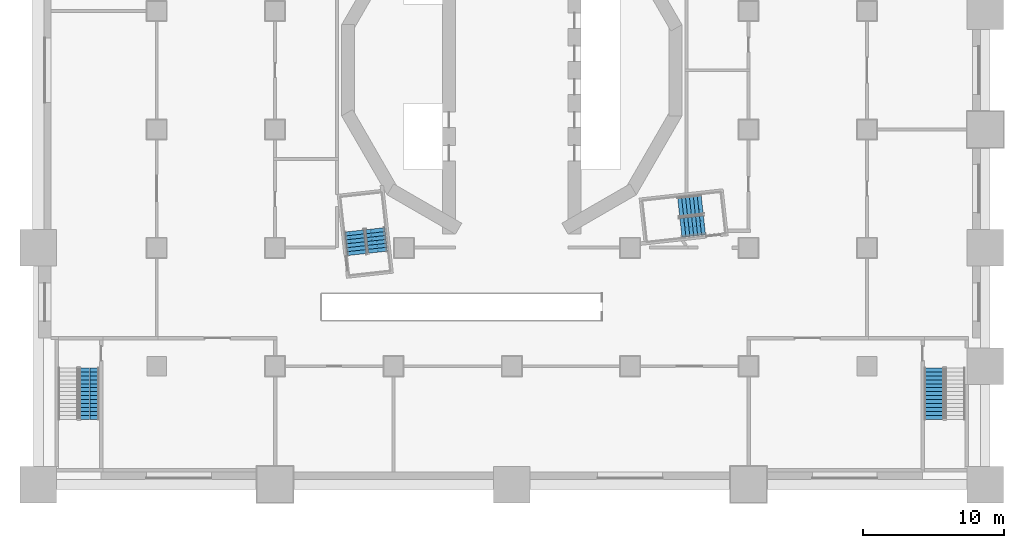
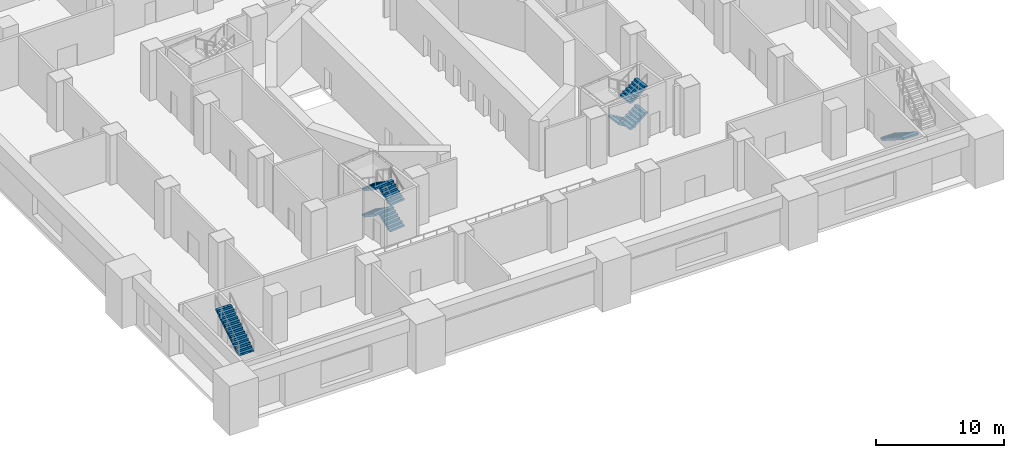
# One storey, part 6 of 19: 9 stair flights, 4 elements without a shape of their own.
"""IFC4 building model written with IfcOpenShell, lengths in metres."""

from ifc_helpers import new_model, si_unit, direction, frame, origin, place, context, subcontext, project, spatial, polyline, outline, extrude, material, type_object, element, aggregate, save


model = new_model("IFC4")

# Units and contexts
model_context = context("Model", 3, precision=1e-05, world=origin(), true_north=direction((0.0, 1.0)))
body_context = subcontext(model_context, "Body", "Model", "MODEL_VIEW")
ifc_project = project(units=[si_unit("LENGTHUNIT", "METRE"), si_unit("AREAUNIT", "SQUARE_METRE"), si_unit("VOLUMEUNIT", "CUBIC_METRE"), si_unit("PLANEANGLEUNIT", "RADIAN"), si_unit("MASSUNIT", "GRAM", prefix="KILO")], contexts=[model_context])

# Site, building, storey
site_placement = place(None, origin())
site = spatial("IfcSite", under=ifc_project, at=site_placement, CompositionType="ELEMENT")
building_placement = place(site_placement, origin())
building = spatial("IfcBuilding", under=site, at=building_placement, Name="Cantera Rosa Tower", CompositionType="ELEMENT")
storey_placement = place(building_placement, frame((0.0, 0.0, 12.0)))
storey = spatial("IfcBuildingStorey", under=building, at=storey_placement, Name="L01", CompositionType="ELEMENT", Elevation=12.0)

# Stair, stair flights
ifc_material_1 = material(Name="Concrete C35/45", Category="concrete")
stair_type_1 = type_object("IfcStairType", Name="EXIT STAIR 1350 DOGLEG", PredefinedType="HALF_TURN_STAIR", material=ifc_material_1)
stair_1_placement = place(storey_placement, origin())
stair_1 = element("IfcStair", 1, at=stair_1_placement, inside=storey, type_object=stair_type_1, Name="L01 ST-13", PredefinedType="HALF_TURN_STAIR")
ifc_material_2 = material(Name="Concrete C35/45", Category="concrete")
stair_flight_type_1 = type_object("IfcStairFlightType", Name="STAIR FLIGHT 1350 R28x179", PredefinedType="STRAIGHT", material=ifc_material_2)
stair_flight_1_placement = place(storey_placement, frame((-9.500244140625, -12.90869140625, 0.0), z_axis=(0.0, 0.0, 1.0), x_axis=(-0.110312549749, 0.993896947056, 0.0)))
stair_flight_1 = element("IfcStairFlight", 2, at=stair_flight_1_placement, type_object=stair_flight_type_1, Name="ST-13 flight 1", NumberOfRisers=7, NumberOfTreads=6, PredefinedType="STRAIGHT", RiserHeight=0.178571429, TreadLength=0.28, context=body_context, shape_type="SweptSolid", body=[
    extrude(outline(polyline([(0.0, 0.0), (0.0, 0.178466796875), (0.280029296875, 0.178466796875), (0.280029296875, 0.357177734375), (0.56005859375, 0.357177734375), (0.56005859375, 0.53564453125), (0.840087890625, 0.53564453125), (0.840087890625, 0.71435546875), (1.1201171875, 0.71435546875), (1.1201171875, 0.892822265625), (1.39990234375, 0.892822265625), (1.39990234375, 1.071533203125), (1.679931640625, 1.071533203125), (1.679931640625, 1.25), (1.679931640625, 0.8935546875), (0.27880859375, 0.0), (0.0, 0.0)])), frame((0.0, 0.675048828125, 0.0), z_axis=(0.0, -1.0, 0.0), x_axis=(1.0, 0.0, 0.0)), (0.0, 0.0, 1.0), 0.3359375),
    extrude(outline(polyline([(0.0, 0.0), (0.0, 0.178466796875), (0.280029296875, 0.178466796875), (0.280029296875, 0.357177734375), (0.56005859375, 0.357177734375), (0.56005859375, 0.53564453125), (0.840087890625, 0.53564453125), (0.840087890625, 0.71435546875), (1.1201171875, 0.71435546875), (1.1201171875, 0.892822265625), (1.39990234375, 0.892822265625), (1.39990234375, 1.071533203125), (1.679931640625, 1.071533203125), (1.679931640625, 1.25), (1.679931640625, 0.8935546875), (0.27880859375, 0.0), (0.0, 0.0)])), frame((0.0, 0.337158203125, 0.0), z_axis=(0.0, -1.0, 0.0), x_axis=(1.0, 0.0, 0.0)), (0.0, 0.0, 1.0), 0.3359375),
    extrude(outline(polyline([(0.0, 0.0), (0.0, 0.178466796875), (0.280029296875, 0.178466796875), (0.280029296875, 0.357177734375), (0.56005859375, 0.357177734375), (0.56005859375, 0.53564453125), (0.840087890625, 0.53564453125), (0.840087890625, 0.71435546875), (1.1201171875, 0.71435546875), (1.1201171875, 0.892822265625), (1.39990234375, 0.892822265625), (1.39990234375, 1.071533203125), (1.679931640625, 1.071533203125), (1.679931640625, 1.25), (1.679931640625, 0.8935546875), (0.27880859375, 0.0), (0.0, 0.0)])), frame((0.0, -0.000732421875, 0.0), z_axis=(0.0, -1.0, 0.0), x_axis=(1.0, 0.0, 0.0)), (0.0, 0.0, 1.0), 0.3359375),
    extrude(outline(polyline([(0.0, 0.0), (0.0, 0.178466796875), (0.280029296875, 0.178466796875), (0.280029296875, 0.357177734375), (0.56005859375, 0.357177734375), (0.56005859375, 0.53564453125), (0.840087890625, 0.53564453125), (0.840087890625, 0.71435546875), (1.1201171875, 0.71435546875), (1.1201171875, 0.892822265625), (1.39990234375, 0.892822265625), (1.39990234375, 1.071533203125), (1.679931640625, 1.071533203125), (1.679931640625, 1.25), (1.679931640625, 0.8935546875), (0.27880859375, 0.0), (0.0, 0.0)])), frame((0.0, -0.338623046875, 0.0), z_axis=(0.0, -1.0, 0.0), x_axis=(1.0, 0.0, 0.0)), (0.0, 0.0, 1.0), 0.3359375),
])
stair_flight_2_placement = place(storey_placement, frame((-11.17626953125, -11.404541015625, 1.25), z_axis=(0.0, 0.0, 1.0), x_axis=(0.110312549749, -0.993896947056, 0.0)))
stair_flight_2 = element("IfcStairFlight", 3, at=stair_flight_2_placement, type_object=stair_flight_type_1, Name="ST-13 flight 2", NumberOfRisers=7, NumberOfTreads=6, PredefinedType="STRAIGHT", RiserHeight=0.178571429, TreadLength=0.28, context=body_context, shape_type="SweptSolid", body=[
    extrude(outline(polyline([(0.0, 0.0), (0.0, 0.178466796875), (0.280029296875, 0.178466796875), (0.280029296875, 0.357177734375), (0.56005859375, 0.357177734375), (0.56005859375, 0.53564453125), (0.840087890625, 0.53564453125), (0.840087890625, 0.71435546875), (1.1201171875, 0.71435546875), (1.1201171875, 0.892822265625), (1.39990234375, 0.892822265625), (1.39990234375, 1.071533203125), (1.679931640625, 1.071533203125), (1.679931640625, 1.25), (1.679931640625, 0.8935546875), (0.27880859375, 0.0), (0.0, 0.0)])), frame((0.0, 0.675048828125, 0.0), z_axis=(0.0, -1.0, 0.0), x_axis=(1.0, 0.0, 0.0)), (0.0, 0.0, 1.0), 0.3359375),
    extrude(outline(polyline([(0.0, 0.0), (0.0, 0.178466796875), (0.280029296875, 0.178466796875), (0.280029296875, 0.357177734375), (0.56005859375, 0.357177734375), (0.56005859375, 0.53564453125), (0.840087890625, 0.53564453125), (0.840087890625, 0.71435546875), (1.1201171875, 0.71435546875), (1.1201171875, 0.892822265625), (1.39990234375, 0.892822265625), (1.39990234375, 1.071533203125), (1.679931640625, 1.071533203125), (1.679931640625, 1.25), (1.679931640625, 0.8935546875), (0.27880859375, 0.0), (0.0, 0.0)])), frame((0.0, 0.337158203125, 0.0), z_axis=(0.0, -1.0, 0.0), x_axis=(1.0, 0.0, 0.0)), (0.0, 0.0, 1.0), 0.3359375),
    extrude(outline(polyline([(0.0, 0.0), (0.0, 0.178466796875), (0.280029296875, 0.178466796875), (0.280029296875, 0.357177734375), (0.56005859375, 0.357177734375), (0.56005859375, 0.53564453125), (0.840087890625, 0.53564453125), (0.840087890625, 0.71435546875), (1.1201171875, 0.71435546875), (1.1201171875, 0.892822265625), (1.39990234375, 0.892822265625), (1.39990234375, 1.071533203125), (1.679931640625, 1.071533203125), (1.679931640625, 1.25), (1.679931640625, 0.8935546875), (0.27880859375, 0.0), (0.0, 0.0)])), frame((0.0, -0.000732421875, 0.0), z_axis=(0.0, -1.0, 0.0), x_axis=(1.0, 0.0, 0.0)), (0.0, 0.0, 1.0), 0.3359375),
    extrude(outline(polyline([(0.0, 0.0), (0.0, 0.178466796875), (0.280029296875, 0.178466796875), (0.280029296875, 0.357177734375), (0.56005859375, 0.357177734375), (0.56005859375, 0.53564453125), (0.840087890625, 0.53564453125), (0.840087890625, 0.71435546875), (1.1201171875, 0.71435546875), (1.1201171875, 0.892822265625), (1.39990234375, 0.892822265625), (1.39990234375, 1.071533203125), (1.679931640625, 1.071533203125), (1.679931640625, 1.25), (1.679931640625, 0.8935546875), (0.27880859375, 0.0), (0.0, 0.0)])), frame((0.0, -0.338623046875, 0.0), z_axis=(0.0, -1.0, 0.0), x_axis=(1.0, 0.0, 0.0)), (0.0, 0.0, 1.0), 0.3359375),
])
stair_flight_3_placement = place(storey_placement, frame((-9.500244140625, -12.90869140625, 2.5), z_axis=(0.0, 0.0, 1.0), x_axis=(-0.110312549749, 0.993896947056, 0.0)))
stair_flight_3 = element("IfcStairFlight", 4, at=stair_flight_3_placement, type_object=stair_flight_type_1, Name="ST-13 flight 3", NumberOfRisers=7, NumberOfTreads=6, PredefinedType="STRAIGHT", RiserHeight=0.178571429, TreadLength=0.28, context=body_context, shape_type="SweptSolid", body=[
    extrude(outline(polyline([(0.0, 0.0), (0.0, 0.178466796875), (0.280029296875, 0.178466796875), (0.280029296875, 0.357177734375), (0.56005859375, 0.357177734375), (0.56005859375, 0.53564453125), (0.840087890625, 0.53564453125), (0.840087890625, 0.71435546875), (1.1201171875, 0.71435546875), (1.1201171875, 0.892822265625), (1.39990234375, 0.892822265625), (1.39990234375, 1.071533203125), (1.679931640625, 1.071533203125), (1.679931640625, 1.25), (1.679931640625, 0.8935546875), (0.27880859375, 0.0), (0.0, 0.0)])), frame((0.0, 0.675048828125, 0.0), z_axis=(0.0, -1.0, 0.0), x_axis=(1.0, 0.0, 0.0)), (0.0, 0.0, 1.0), 0.3359375),
    extrude(outline(polyline([(0.0, 0.0), (0.0, 0.178466796875), (0.280029296875, 0.178466796875), (0.280029296875, 0.357177734375), (0.56005859375, 0.357177734375), (0.56005859375, 0.53564453125), (0.840087890625, 0.53564453125), (0.840087890625, 0.71435546875), (1.1201171875, 0.71435546875), (1.1201171875, 0.892822265625), (1.39990234375, 0.892822265625), (1.39990234375, 1.071533203125), (1.679931640625, 1.071533203125), (1.679931640625, 1.25), (1.679931640625, 0.8935546875), (0.27880859375, 0.0), (0.0, 0.0)])), frame((0.0, 0.337158203125, 0.0), z_axis=(0.0, -1.0, 0.0), x_axis=(1.0, 0.0, 0.0)), (0.0, 0.0, 1.0), 0.3359375),
    extrude(outline(polyline([(0.0, 0.0), (0.0, 0.178466796875), (0.280029296875, 0.178466796875), (0.280029296875, 0.357177734375), (0.56005859375, 0.357177734375), (0.56005859375, 0.53564453125), (0.840087890625, 0.53564453125), (0.840087890625, 0.71435546875), (1.1201171875, 0.71435546875), (1.1201171875, 0.892822265625), (1.39990234375, 0.892822265625), (1.39990234375, 1.071533203125), (1.679931640625, 1.071533203125), (1.679931640625, 1.25), (1.679931640625, 0.8935546875), (0.27880859375, 0.0), (0.0, 0.0)])), frame((0.0, -0.000732421875, 0.0), z_axis=(0.0, -1.0, 0.0), x_axis=(1.0, 0.0, 0.0)), (0.0, 0.0, 1.0), 0.3359375),
    extrude(outline(polyline([(0.0, 0.0), (0.0, 0.178466796875), (0.280029296875, 0.178466796875), (0.280029296875, 0.357177734375), (0.56005859375, 0.357177734375), (0.56005859375, 0.53564453125), (0.840087890625, 0.53564453125), (0.840087890625, 0.71435546875), (1.1201171875, 0.71435546875), (1.1201171875, 0.892822265625), (1.39990234375, 0.892822265625), (1.39990234375, 1.071533203125), (1.679931640625, 1.071533203125), (1.679931640625, 1.25), (1.679931640625, 0.8935546875), (0.27880859375, 0.0), (0.0, 0.0)])), frame((0.0, -0.338623046875, 0.0), z_axis=(0.0, -1.0, 0.0), x_axis=(1.0, 0.0, 0.0)), (0.0, 0.0, 1.0), 0.3359375),
])
stair_flight_4_placement = place(storey_placement, frame((-11.17626953125, -11.404541015625, 3.75), z_axis=(0.0, 0.0, 1.0), x_axis=(0.110312549749, -0.993896947056, 0.0)))
stair_flight_4 = element("IfcStairFlight", 5, at=stair_flight_4_placement, type_object=stair_flight_type_1, Name="ST-13 flight 4", NumberOfRisers=7, NumberOfTreads=6, PredefinedType="STRAIGHT", RiserHeight=0.178571429, TreadLength=0.28, context=body_context, shape_type="SweptSolid", body=[
    extrude(outline(polyline([(0.0, 0.0), (0.0, 0.178466796875), (0.280029296875, 0.178466796875), (0.280029296875, 0.357177734375), (0.56005859375, 0.357177734375), (0.56005859375, 0.53564453125), (0.840087890625, 0.53564453125), (0.840087890625, 0.71435546875), (1.1201171875, 0.71435546875), (1.1201171875, 0.892822265625), (1.39990234375, 0.892822265625), (1.39990234375, 1.071533203125), (1.679931640625, 1.071533203125), (1.679931640625, 1.25), (1.679931640625, 0.8935546875), (0.27880859375, 0.0), (0.0, 0.0)])), frame((0.0, 0.675048828125, 0.0), z_axis=(0.0, -1.0, 0.0), x_axis=(1.0, 0.0, 0.0)), (0.0, 0.0, 1.0), 0.3359375),
    extrude(outline(polyline([(0.0, 0.0), (0.0, 0.178466796875), (0.280029296875, 0.178466796875), (0.280029296875, 0.357177734375), (0.56005859375, 0.357177734375), (0.56005859375, 0.53564453125), (0.840087890625, 0.53564453125), (0.840087890625, 0.71435546875), (1.1201171875, 0.71435546875), (1.1201171875, 0.892822265625), (1.39990234375, 0.892822265625), (1.39990234375, 1.071533203125), (1.679931640625, 1.071533203125), (1.679931640625, 1.25), (1.679931640625, 0.8935546875), (0.27880859375, 0.0), (0.0, 0.0)])), frame((0.0, 0.337158203125, 0.0), z_axis=(0.0, -1.0, 0.0), x_axis=(1.0, 0.0, 0.0)), (0.0, 0.0, 1.0), 0.3359375),
    extrude(outline(polyline([(0.0, 0.0), (0.0, 0.178466796875), (0.280029296875, 0.178466796875), (0.280029296875, 0.357177734375), (0.56005859375, 0.357177734375), (0.56005859375, 0.53564453125), (0.840087890625, 0.53564453125), (0.840087890625, 0.71435546875), (1.1201171875, 0.71435546875), (1.1201171875, 0.892822265625), (1.39990234375, 0.892822265625), (1.39990234375, 1.071533203125), (1.679931640625, 1.071533203125), (1.679931640625, 1.25), (1.679931640625, 0.8935546875), (0.27880859375, 0.0), (0.0, 0.0)])), frame((0.0, -0.000732421875, 0.0), z_axis=(0.0, -1.0, 0.0), x_axis=(1.0, 0.0, 0.0)), (0.0, 0.0, 1.0), 0.3359375),
    extrude(outline(polyline([(0.0, 0.0), (0.0, 0.178466796875), (0.280029296875, 0.178466796875), (0.280029296875, 0.357177734375), (0.56005859375, 0.357177734375), (0.56005859375, 0.53564453125), (0.840087890625, 0.53564453125), (0.840087890625, 0.71435546875), (1.1201171875, 0.71435546875), (1.1201171875, 0.892822265625), (1.39990234375, 0.892822265625), (1.39990234375, 1.071533203125), (1.679931640625, 1.071533203125), (1.679931640625, 1.25), (1.679931640625, 0.8935546875), (0.27880859375, 0.0), (0.0, 0.0)])), frame((0.0, -0.338623046875, 0.0), z_axis=(0.0, -1.0, 0.0), x_axis=(1.0, 0.0, 0.0)), (0.0, 0.0, 1.0), 0.3359375),
])
aggregate(stair_1, [stair_flight_1, stair_flight_2, stair_flight_3, stair_flight_4])

stair_2_placement = place(storey_placement, origin())
stair_2 = element("IfcStair", 6, at=stair_2_placement, inside=storey, type_object=stair_type_1, Name="L01 ST-14", PredefinedType="HALF_TURN_STAIR")
stair_flight_5_placement = place(storey_placement, frame((13.5087890625, -9.500244140625, 0.0), z_axis=(0.0, 0.0, 1.0), x_axis=(-0.993896947056, -0.110312549749, 0.0)))
stair_flight_5 = element("IfcStairFlight", 7, at=stair_flight_5_placement, type_object=stair_flight_type_1, Name="ST-14 flight 1", NumberOfRisers=7, NumberOfTreads=6, PredefinedType="STRAIGHT", RiserHeight=0.178571429, TreadLength=0.28, context=body_context, shape_type="SweptSolid", body=[
    extrude(outline(polyline([(0.0, 0.0), (0.0, 0.178466796875), (0.280029296875, 0.178466796875), (0.280029296875, 0.357177734375), (0.56005859375, 0.357177734375), (0.56005859375, 0.53564453125), (0.840087890625, 0.53564453125), (0.840087890625, 0.71435546875), (1.1201171875, 0.71435546875), (1.1201171875, 0.892822265625), (1.39990234375, 0.892822265625), (1.39990234375, 1.071533203125), (1.679931640625, 1.071533203125), (1.679931640625, 1.25), (1.679931640625, 0.8935546875), (0.27880859375, 0.0), (0.0, 0.0)])), frame((0.0, 0.675048828125, 0.0), z_axis=(0.0, -1.0, 0.0), x_axis=(1.0, 0.0, 0.0)), (0.0, 0.0, 1.0), 0.3359375),
    extrude(outline(polyline([(0.0, 0.0), (0.0, 0.178466796875), (0.280029296875, 0.178466796875), (0.280029296875, 0.357177734375), (0.56005859375, 0.357177734375), (0.56005859375, 0.53564453125), (0.840087890625, 0.53564453125), (0.840087890625, 0.71435546875), (1.1201171875, 0.71435546875), (1.1201171875, 0.892822265625), (1.39990234375, 0.892822265625), (1.39990234375, 1.071533203125), (1.679931640625, 1.071533203125), (1.679931640625, 1.25), (1.679931640625, 0.8935546875), (0.27880859375, 0.0), (0.0, 0.0)])), frame((0.0, 0.337158203125, 0.0), z_axis=(0.0, -1.0, 0.0), x_axis=(1.0, 0.0, 0.0)), (0.0, 0.0, 1.0), 0.3359375),
    extrude(outline(polyline([(0.0, 0.0), (0.0, 0.178466796875), (0.280029296875, 0.178466796875), (0.280029296875, 0.357177734375), (0.56005859375, 0.357177734375), (0.56005859375, 0.53564453125), (0.840087890625, 0.53564453125), (0.840087890625, 0.71435546875), (1.1201171875, 0.71435546875), (1.1201171875, 0.892822265625), (1.39990234375, 0.892822265625), (1.39990234375, 1.071533203125), (1.679931640625, 1.071533203125), (1.679931640625, 1.25), (1.679931640625, 0.8935546875), (0.27880859375, 0.0), (0.0, 0.0)])), frame((0.0, -0.000732421875, 0.0), z_axis=(0.0, -1.0, 0.0), x_axis=(1.0, 0.0, 0.0)), (0.0, 0.0, 1.0), 0.3359375),
    extrude(outline(polyline([(0.0, 0.0), (0.0, 0.178466796875), (0.280029296875, 0.178466796875), (0.280029296875, 0.357177734375), (0.56005859375, 0.357177734375), (0.56005859375, 0.53564453125), (0.840087890625, 0.53564453125), (0.840087890625, 0.71435546875), (1.1201171875, 0.71435546875), (1.1201171875, 0.892822265625), (1.39990234375, 0.892822265625), (1.39990234375, 1.071533203125), (1.679931640625, 1.071533203125), (1.679931640625, 1.25), (1.679931640625, 0.8935546875), (0.27880859375, 0.0), (0.0, 0.0)])), frame((0.0, -0.338623046875, 0.0), z_axis=(0.0, -1.0, 0.0), x_axis=(1.0, 0.0, 0.0)), (0.0, 0.0, 1.0), 0.3359375),
])
stair_flight_6_placement = place(storey_placement, frame((12.00439453125, -11.17626953125, 1.25), z_axis=(0.0, 0.0, 1.0), x_axis=(0.993896947056, 0.110312549749, 0.0)))
stair_flight_6 = element("IfcStairFlight", 8, at=stair_flight_6_placement, type_object=stair_flight_type_1, Name="ST-14 flight 2", NumberOfRisers=7, NumberOfTreads=6, PredefinedType="STRAIGHT", RiserHeight=0.178571429, TreadLength=0.28, context=body_context, shape_type="SweptSolid", body=[
    extrude(outline(polyline([(0.0, 0.0), (0.0, 0.178466796875), (0.280029296875, 0.178466796875), (0.280029296875, 0.357177734375), (0.56005859375, 0.357177734375), (0.56005859375, 0.53564453125), (0.840087890625, 0.53564453125), (0.840087890625, 0.71435546875), (1.1201171875, 0.71435546875), (1.1201171875, 0.892822265625), (1.39990234375, 0.892822265625), (1.39990234375, 1.071533203125), (1.679931640625, 1.071533203125), (1.679931640625, 1.25), (1.679931640625, 0.8935546875), (0.27880859375, 0.0), (0.0, 0.0)])), frame((0.0, 0.675048828125, 0.0), z_axis=(0.0, -1.0, 0.0), x_axis=(1.0, 0.0, 0.0)), (0.0, 0.0, 1.0), 0.3359375),
    extrude(outline(polyline([(0.0, 0.0), (0.0, 0.178466796875), (0.280029296875, 0.178466796875), (0.280029296875, 0.357177734375), (0.56005859375, 0.357177734375), (0.56005859375, 0.53564453125), (0.840087890625, 0.53564453125), (0.840087890625, 0.71435546875), (1.1201171875, 0.71435546875), (1.1201171875, 0.892822265625), (1.39990234375, 0.892822265625), (1.39990234375, 1.071533203125), (1.679931640625, 1.071533203125), (1.679931640625, 1.25), (1.679931640625, 0.8935546875), (0.27880859375, 0.0), (0.0, 0.0)])), frame((0.0, 0.337158203125, 0.0), z_axis=(0.0, -1.0, 0.0), x_axis=(1.0, 0.0, 0.0)), (0.0, 0.0, 1.0), 0.3359375),
    extrude(outline(polyline([(0.0, 0.0), (0.0, 0.178466796875), (0.280029296875, 0.178466796875), (0.280029296875, 0.357177734375), (0.56005859375, 0.357177734375), (0.56005859375, 0.53564453125), (0.840087890625, 0.53564453125), (0.840087890625, 0.71435546875), (1.1201171875, 0.71435546875), (1.1201171875, 0.892822265625), (1.39990234375, 0.892822265625), (1.39990234375, 1.071533203125), (1.679931640625, 1.071533203125), (1.679931640625, 1.25), (1.679931640625, 0.8935546875), (0.27880859375, 0.0), (0.0, 0.0)])), frame((0.0, -0.000732421875, 0.0), z_axis=(0.0, -1.0, 0.0), x_axis=(1.0, 0.0, 0.0)), (0.0, 0.0, 1.0), 0.3359375),
    extrude(outline(polyline([(0.0, 0.0), (0.0, 0.178466796875), (0.280029296875, 0.178466796875), (0.280029296875, 0.357177734375), (0.56005859375, 0.357177734375), (0.56005859375, 0.53564453125), (0.840087890625, 0.53564453125), (0.840087890625, 0.71435546875), (1.1201171875, 0.71435546875), (1.1201171875, 0.892822265625), (1.39990234375, 0.892822265625), (1.39990234375, 1.071533203125), (1.679931640625, 1.071533203125), (1.679931640625, 1.25), (1.679931640625, 0.8935546875), (0.27880859375, 0.0), (0.0, 0.0)])), frame((0.0, -0.338623046875, 0.0), z_axis=(0.0, -1.0, 0.0), x_axis=(1.0, 0.0, 0.0)), (0.0, 0.0, 1.0), 0.3359375),
])
stair_flight_7_placement = place(storey_placement, frame((12.00439453125, -11.17626953125, 3.75), z_axis=(0.0, 0.0, 1.0), x_axis=(0.993896947056, 0.110312549749, 0.0)))
stair_flight_7 = element("IfcStairFlight", 9, at=stair_flight_7_placement, type_object=stair_flight_type_1, Name="ST-14 flight 4", NumberOfRisers=7, NumberOfTreads=6, PredefinedType="STRAIGHT", RiserHeight=0.178571429, TreadLength=0.28, context=body_context, shape_type="SweptSolid", body=[
    extrude(outline(polyline([(0.0, 0.0), (0.0, 0.178466796875), (0.280029296875, 0.178466796875), (0.280029296875, 0.357177734375), (0.56005859375, 0.357177734375), (0.56005859375, 0.53564453125), (0.840087890625, 0.53564453125), (0.840087890625, 0.71435546875), (1.1201171875, 0.71435546875), (1.1201171875, 0.892822265625), (1.39990234375, 0.892822265625), (1.39990234375, 1.071533203125), (1.679931640625, 1.071533203125), (1.679931640625, 1.25), (1.679931640625, 0.8935546875), (0.27880859375, 0.0), (0.0, 0.0)])), frame((0.0, 0.675048828125, 0.0), z_axis=(0.0, -1.0, 0.0), x_axis=(1.0, 0.0, 0.0)), (0.0, 0.0, 1.0), 0.3359375),
    extrude(outline(polyline([(0.0, 0.0), (0.0, 0.178466796875), (0.280029296875, 0.178466796875), (0.280029296875, 0.357177734375), (0.56005859375, 0.357177734375), (0.56005859375, 0.53564453125), (0.840087890625, 0.53564453125), (0.840087890625, 0.71435546875), (1.1201171875, 0.71435546875), (1.1201171875, 0.892822265625), (1.39990234375, 0.892822265625), (1.39990234375, 1.071533203125), (1.679931640625, 1.071533203125), (1.679931640625, 1.25), (1.679931640625, 0.8935546875), (0.27880859375, 0.0), (0.0, 0.0)])), frame((0.0, 0.337158203125, 0.0), z_axis=(0.0, -1.0, 0.0), x_axis=(1.0, 0.0, 0.0)), (0.0, 0.0, 1.0), 0.3359375),
    extrude(outline(polyline([(0.0, 0.0), (0.0, 0.178466796875), (0.280029296875, 0.178466796875), (0.280029296875, 0.357177734375), (0.56005859375, 0.357177734375), (0.56005859375, 0.53564453125), (0.840087890625, 0.53564453125), (0.840087890625, 0.71435546875), (1.1201171875, 0.71435546875), (1.1201171875, 0.892822265625), (1.39990234375, 0.892822265625), (1.39990234375, 1.071533203125), (1.679931640625, 1.071533203125), (1.679931640625, 1.25), (1.679931640625, 0.8935546875), (0.27880859375, 0.0), (0.0, 0.0)])), frame((0.0, -0.000732421875, 0.0), z_axis=(0.0, -1.0, 0.0), x_axis=(1.0, 0.0, 0.0)), (0.0, 0.0, 1.0), 0.3359375),
    extrude(outline(polyline([(0.0, 0.0), (0.0, 0.178466796875), (0.280029296875, 0.178466796875), (0.280029296875, 0.357177734375), (0.56005859375, 0.357177734375), (0.56005859375, 0.53564453125), (0.840087890625, 0.53564453125), (0.840087890625, 0.71435546875), (1.1201171875, 0.71435546875), (1.1201171875, 0.892822265625), (1.39990234375, 0.892822265625), (1.39990234375, 1.071533203125), (1.679931640625, 1.071533203125), (1.679931640625, 1.25), (1.679931640625, 0.8935546875), (0.27880859375, 0.0), (0.0, 0.0)])), frame((0.0, -0.338623046875, 0.0), z_axis=(0.0, -1.0, 0.0), x_axis=(1.0, 0.0, 0.0)), (0.0, 0.0, 1.0), 0.3359375),
])
aggregate(stair_2, [stair_flight_5, stair_flight_6, stair_flight_7])

# Stair, stair flight
ifc_material_3 = material(Name="Concrete C35/45", Category="concrete")
stair_type_2 = type_object("IfcStairType", Name="Stair half-turn 1350", PredefinedType="HALF_TURN_STAIR", material=ifc_material_3)
stair_3_placement = place(storey_placement, origin())
stair_3 = element("IfcStair", 10, at=stair_3_placement, inside=storey, type_object=stair_type_2, Name="L01 ST-SE", PredefinedType="HALF_TURN_STAIR")
ifc_material_4 = material(Name="Concrete C35/45", Category="concrete")
stair_flight_type_2 = type_object("IfcStairFlightType", Name="Stair flight 1350", PredefinedType="STRAIGHT", material=ifc_material_4)
stair_flight_8_placement = place(storey_placement, frame((29.949951171875, -21.125, 0.0), z_axis=(0.0, 0.0, 1.0), x_axis=(0.0, -1.0, 0.0)))
stair_flight_8 = element("IfcStairFlight", 11, at=stair_flight_8_placement, type_object=stair_flight_type_2, Name="ST-SE flight 1", NumberOfRisers=14, NumberOfTreads=13, PredefinedType="STRAIGHT", RiserHeight=0.178571429, TreadLength=0.28, context=body_context, shape_type="SweptSolid", body=[
    extrude(outline(polyline([(0.0, 0.0), (0.0, 0.178466796875), (0.280029296875, 0.178466796875), (0.280029296875, 0.357177734375), (0.56005859375, 0.357177734375), (0.56005859375, 0.53564453125), (0.840087890625, 0.53564453125), (0.840087890625, 0.71435546875), (1.1201171875, 0.71435546875), (1.1201171875, 0.892822265625), (1.39990234375, 0.892822265625), (1.39990234375, 1.071533203125), (1.679931640625, 1.071533203125), (1.679931640625, 1.25), (1.9599609375, 1.25), (1.9599609375, 1.428466796875), (2.239990234375, 1.428466796875), (2.239990234375, 1.607177734375), (2.52001953125, 1.607177734375), (2.52001953125, 1.78564453125), (2.800048828125, 1.78564453125), (2.800048828125, 1.96435546875), (3.080078125, 1.96435546875), (3.080078125, 2.142822265625), (3.360107421875, 2.142822265625), (3.360107421875, 2.321533203125), (3.639892578125, 2.321533203125), (3.639892578125, 2.5), (3.639892578125, 2.1435546875), (0.27880859375, 0.0), (0.0, 0.0)])), frame((0.0, 0.675048828125, 0.0), z_axis=(0.0, -1.0, 0.0), x_axis=(1.0, 0.0, 0.0)), (0.0, 0.0, 1.0), 0.3359375),
    extrude(outline(polyline([(0.0, 0.0), (0.0, 0.178466796875), (0.280029296875, 0.178466796875), (0.280029296875, 0.357177734375), (0.56005859375, 0.357177734375), (0.56005859375, 0.53564453125), (0.840087890625, 0.53564453125), (0.840087890625, 0.71435546875), (1.1201171875, 0.71435546875), (1.1201171875, 0.892822265625), (1.39990234375, 0.892822265625), (1.39990234375, 1.071533203125), (1.679931640625, 1.071533203125), (1.679931640625, 1.25), (1.9599609375, 1.25), (1.9599609375, 1.428466796875), (2.239990234375, 1.428466796875), (2.239990234375, 1.607177734375), (2.52001953125, 1.607177734375), (2.52001953125, 1.78564453125), (2.800048828125, 1.78564453125), (2.800048828125, 1.96435546875), (3.080078125, 1.96435546875), (3.080078125, 2.142822265625), (3.360107421875, 2.142822265625), (3.360107421875, 2.321533203125), (3.639892578125, 2.321533203125), (3.639892578125, 2.5), (3.639892578125, 2.1435546875), (0.27880859375, 0.0), (0.0, 0.0)])), frame((0.0, 0.337158203125, 0.0), z_axis=(0.0, -1.0, 0.0), x_axis=(1.0, 0.0, 0.0)), (0.0, 0.0, 1.0), 0.3359375),
    extrude(outline(polyline([(0.0, 0.0), (0.0, 0.178466796875), (0.280029296875, 0.178466796875), (0.280029296875, 0.357177734375), (0.56005859375, 0.357177734375), (0.56005859375, 0.53564453125), (0.840087890625, 0.53564453125), (0.840087890625, 0.71435546875), (1.1201171875, 0.71435546875), (1.1201171875, 0.892822265625), (1.39990234375, 0.892822265625), (1.39990234375, 1.071533203125), (1.679931640625, 1.071533203125), (1.679931640625, 1.25), (1.9599609375, 1.25), (1.9599609375, 1.428466796875), (2.239990234375, 1.428466796875), (2.239990234375, 1.607177734375), (2.52001953125, 1.607177734375), (2.52001953125, 1.78564453125), (2.800048828125, 1.78564453125), (2.800048828125, 1.96435546875), (3.080078125, 1.96435546875), (3.080078125, 2.142822265625), (3.360107421875, 2.142822265625), (3.360107421875, 2.321533203125), (3.639892578125, 2.321533203125), (3.639892578125, 2.5), (3.639892578125, 2.1435546875), (0.27880859375, 0.0), (0.0, 0.0)])), frame((0.0, -0.000732421875, 0.0), z_axis=(0.0, -1.0, 0.0), x_axis=(1.0, 0.0, 0.0)), (0.0, 0.0, 1.0), 0.3359375),
    extrude(outline(polyline([(0.0, 0.0), (0.0, 0.178466796875), (0.280029296875, 0.178466796875), (0.280029296875, 0.357177734375), (0.56005859375, 0.357177734375), (0.56005859375, 0.53564453125), (0.840087890625, 0.53564453125), (0.840087890625, 0.71435546875), (1.1201171875, 0.71435546875), (1.1201171875, 0.892822265625), (1.39990234375, 0.892822265625), (1.39990234375, 1.071533203125), (1.679931640625, 1.071533203125), (1.679931640625, 1.25), (1.9599609375, 1.25), (1.9599609375, 1.428466796875), (2.239990234375, 1.428466796875), (2.239990234375, 1.607177734375), (2.52001953125, 1.607177734375), (2.52001953125, 1.78564453125), (2.800048828125, 1.78564453125), (2.800048828125, 1.96435546875), (3.080078125, 1.96435546875), (3.080078125, 2.142822265625), (3.360107421875, 2.142822265625), (3.360107421875, 2.321533203125), (3.639892578125, 2.321533203125), (3.639892578125, 2.5), (3.639892578125, 2.1435546875), (0.27880859375, 0.0), (0.0, 0.0)])), frame((0.0, -0.338623046875, 0.0), z_axis=(0.0, -1.0, 0.0), x_axis=(1.0, 0.0, 0.0)), (0.0, 0.0, 1.0), 0.3359375),
])
aggregate(stair_3, [stair_flight_8])

stair_4_placement = place(storey_placement, origin())
stair_4 = element("IfcStair", 12, at=stair_4_placement, inside=storey, type_object=stair_type_2, Name="L01 ST-SW", PredefinedType="HALF_TURN_STAIR")
stair_flight_9_placement = place(storey_placement, frame((-29.949951171875, -24.764892578125, 2.5), z_axis=(0.0, 0.0, 1.0), x_axis=(0.0, 1.0, 0.0)))
stair_flight_9 = element("IfcStairFlight", 13, at=stair_flight_9_placement, type_object=stair_flight_type_2, Name="ST-SW flight 2", NumberOfRisers=14, NumberOfTreads=13, PredefinedType="STRAIGHT", RiserHeight=0.178571429, TreadLength=0.28, context=body_context, shape_type="SweptSolid", body=[
    extrude(outline(polyline([(0.0, 0.0), (0.0, 0.178466796875), (0.280029296875, 0.178466796875), (0.280029296875, 0.357177734375), (0.56005859375, 0.357177734375), (0.56005859375, 0.53564453125), (0.840087890625, 0.53564453125), (0.840087890625, 0.71435546875), (1.1201171875, 0.71435546875), (1.1201171875, 0.892822265625), (1.39990234375, 0.892822265625), (1.39990234375, 1.071533203125), (1.679931640625, 1.071533203125), (1.679931640625, 1.25), (1.9599609375, 1.25), (1.9599609375, 1.428466796875), (2.239990234375, 1.428466796875), (2.239990234375, 1.607177734375), (2.52001953125, 1.607177734375), (2.52001953125, 1.78564453125), (2.800048828125, 1.78564453125), (2.800048828125, 1.96435546875), (3.080078125, 1.96435546875), (3.080078125, 2.142822265625), (3.360107421875, 2.142822265625), (3.360107421875, 2.321533203125), (3.639892578125, 2.321533203125), (3.639892578125, 2.5), (3.639892578125, 2.1435546875), (0.27880859375, 0.0), (0.0, 0.0)])), frame((0.0, 0.675048828125, 0.0), z_axis=(0.0, -1.0, 0.0), x_axis=(1.0, 0.0, 0.0)), (0.0, 0.0, 1.0), 0.3359375),
    extrude(outline(polyline([(0.0, 0.0), (0.0, 0.178466796875), (0.280029296875, 0.178466796875), (0.280029296875, 0.357177734375), (0.56005859375, 0.357177734375), (0.56005859375, 0.53564453125), (0.840087890625, 0.53564453125), (0.840087890625, 0.71435546875), (1.1201171875, 0.71435546875), (1.1201171875, 0.892822265625), (1.39990234375, 0.892822265625), (1.39990234375, 1.071533203125), (1.679931640625, 1.071533203125), (1.679931640625, 1.25), (1.9599609375, 1.25), (1.9599609375, 1.428466796875), (2.239990234375, 1.428466796875), (2.239990234375, 1.607177734375), (2.52001953125, 1.607177734375), (2.52001953125, 1.78564453125), (2.800048828125, 1.78564453125), (2.800048828125, 1.96435546875), (3.080078125, 1.96435546875), (3.080078125, 2.142822265625), (3.360107421875, 2.142822265625), (3.360107421875, 2.321533203125), (3.639892578125, 2.321533203125), (3.639892578125, 2.5), (3.639892578125, 2.1435546875), (0.27880859375, 0.0), (0.0, 0.0)])), frame((0.0, 0.337158203125, 0.0), z_axis=(0.0, -1.0, 0.0), x_axis=(1.0, 0.0, 0.0)), (0.0, 0.0, 1.0), 0.3359375),
    extrude(outline(polyline([(0.0, 0.0), (0.0, 0.178466796875), (0.280029296875, 0.178466796875), (0.280029296875, 0.357177734375), (0.56005859375, 0.357177734375), (0.56005859375, 0.53564453125), (0.840087890625, 0.53564453125), (0.840087890625, 0.71435546875), (1.1201171875, 0.71435546875), (1.1201171875, 0.892822265625), (1.39990234375, 0.892822265625), (1.39990234375, 1.071533203125), (1.679931640625, 1.071533203125), (1.679931640625, 1.25), (1.9599609375, 1.25), (1.9599609375, 1.428466796875), (2.239990234375, 1.428466796875), (2.239990234375, 1.607177734375), (2.52001953125, 1.607177734375), (2.52001953125, 1.78564453125), (2.800048828125, 1.78564453125), (2.800048828125, 1.96435546875), (3.080078125, 1.96435546875), (3.080078125, 2.142822265625), (3.360107421875, 2.142822265625), (3.360107421875, 2.321533203125), (3.639892578125, 2.321533203125), (3.639892578125, 2.5), (3.639892578125, 2.1435546875), (0.27880859375, 0.0), (0.0, 0.0)])), frame((0.0, -0.000732421875, 0.0), z_axis=(0.0, -1.0, 0.0), x_axis=(1.0, 0.0, 0.0)), (0.0, 0.0, 1.0), 0.3359375),
    extrude(outline(polyline([(0.0, 0.0), (0.0, 0.178466796875), (0.280029296875, 0.178466796875), (0.280029296875, 0.357177734375), (0.56005859375, 0.357177734375), (0.56005859375, 0.53564453125), (0.840087890625, 0.53564453125), (0.840087890625, 0.71435546875), (1.1201171875, 0.71435546875), (1.1201171875, 0.892822265625), (1.39990234375, 0.892822265625), (1.39990234375, 1.071533203125), (1.679931640625, 1.071533203125), (1.679931640625, 1.25), (1.9599609375, 1.25), (1.9599609375, 1.428466796875), (2.239990234375, 1.428466796875), (2.239990234375, 1.607177734375), (2.52001953125, 1.607177734375), (2.52001953125, 1.78564453125), (2.800048828125, 1.78564453125), (2.800048828125, 1.96435546875), (3.080078125, 1.96435546875), (3.080078125, 2.142822265625), (3.360107421875, 2.142822265625), (3.360107421875, 2.321533203125), (3.639892578125, 2.321533203125), (3.639892578125, 2.5), (3.639892578125, 2.1435546875), (0.27880859375, 0.0), (0.0, 0.0)])), frame((0.0, -0.338623046875, 0.0), z_axis=(0.0, -1.0, 0.0), x_axis=(1.0, 0.0, 0.0)), (0.0, 0.0, 1.0), 0.3359375),
])
aggregate(stair_4, [stair_flight_9])

save(model, "model.ifc")
